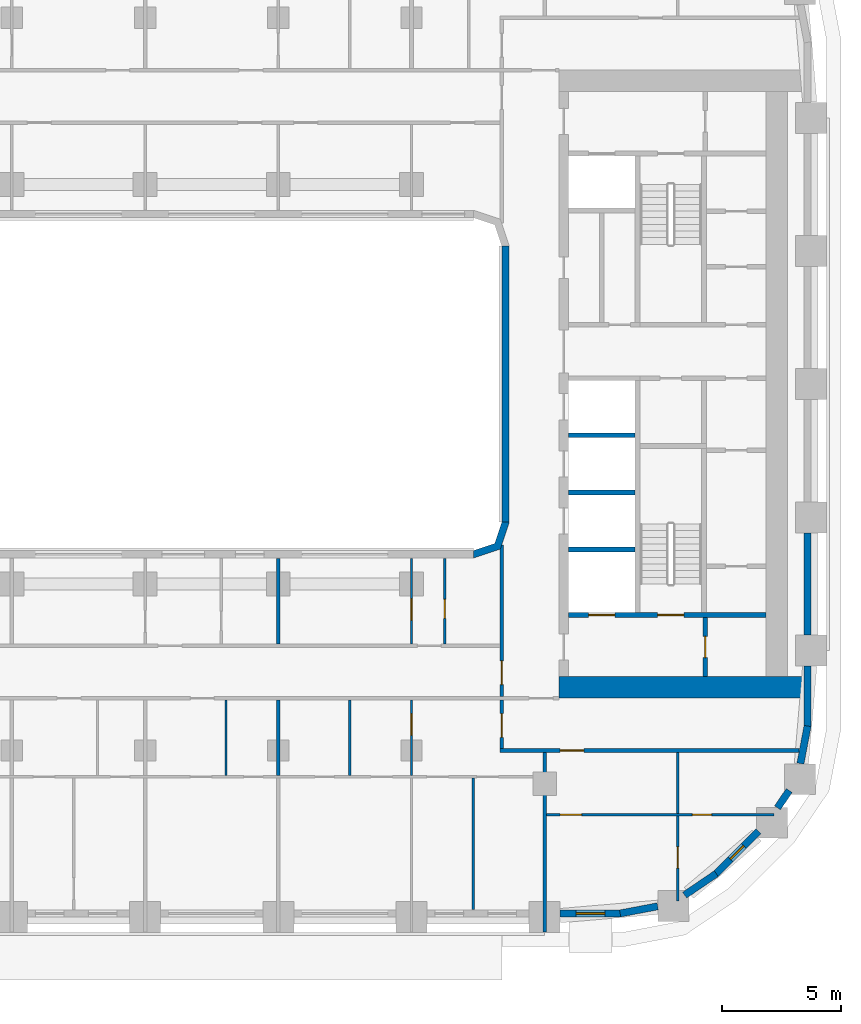
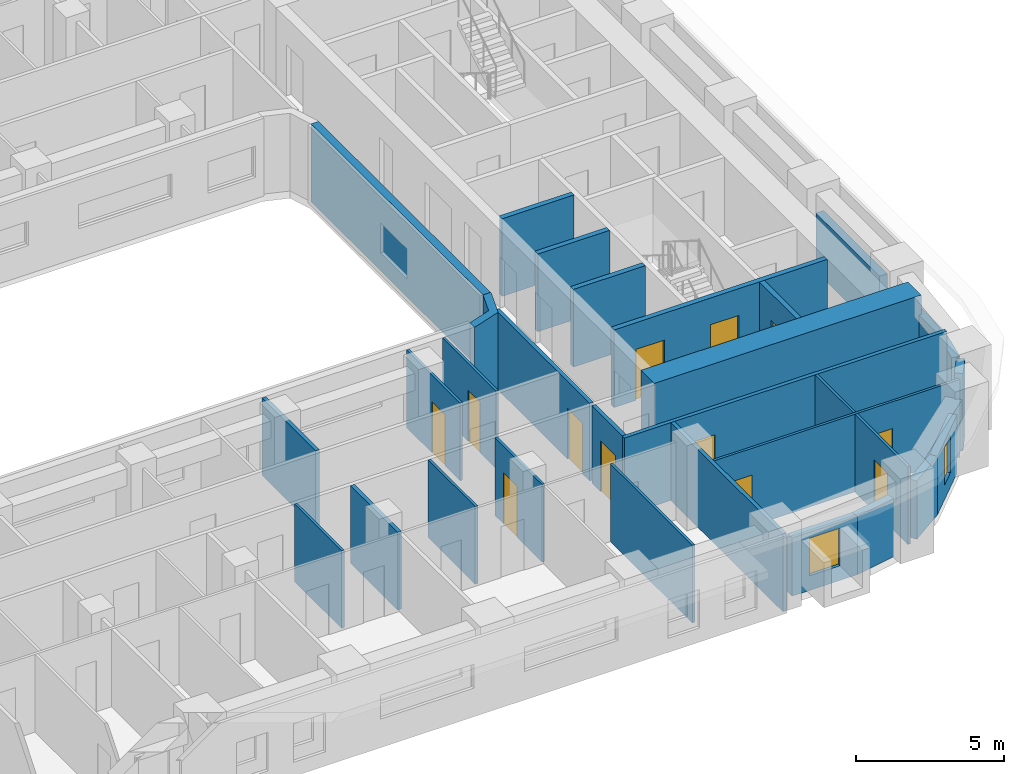
# One storey, part 6 of 23: 31 walls, 12 doors, 2 windows, 14 openings.
"""IFC4 building model written with IfcOpenShell, lengths in metres."""

from ifc_helpers import new_model, si_unit, direction, frame, frame_2d, origin, place, context, subcontext, project, spatial, polyline, rectangle, outline, extrude, material, layer, layer_set, type_object, element, fill, save


model = new_model("IFC4")

# Units and contexts
model_context = context("Model", 3, precision=1e-05, world=origin(), true_north=direction((0.0, 1.0)))
body_context = subcontext(model_context, "Body", "Model", "MODEL_VIEW")
ifc_project = project(units=[si_unit("LENGTHUNIT", "METRE"), si_unit("AREAUNIT", "SQUARE_METRE"), si_unit("VOLUMEUNIT", "CUBIC_METRE"), si_unit("PLANEANGLEUNIT", "RADIAN"), si_unit("MASSUNIT", "GRAM", prefix="KILO")], contexts=[model_context])

# Site, building, storey
site_placement = place(None, origin())
site = spatial("IfcSite", under=ifc_project, at=site_placement, CompositionType="ELEMENT")
building_placement = place(site_placement, origin())
building = spatial("IfcBuilding", under=site, at=building_placement, Name="Kiln Ring Residences", CompositionType="ELEMENT")
storey_placement = place(building_placement, frame((0.0, 0.0, 86.800048828125)))
storey = spatial("IfcBuildingStorey", under=building, at=storey_placement, Name="L21", CompositionType="ELEMENT", Elevation=86.800048828125)

# Wall, opening, door
ifc_material_1 = material(Name="Gypsum board on steel studs", Category="steel")
ifc_layer_1 = layer(ifc_material_1, 0.199951171875)
ifc_layer_set_1 = layer_set([ifc_layer_1], Name="CORE-PARTITION-200")
wall_type_1 = type_object("IfcWallType", Name="CORE-PARTITION-200", PredefinedType="PARTITIONING", material=ifc_layer_set_1)
wall_1_placement = place(storey_placement, frame((23.550048828125, -12.300048828125, 0.0), z_axis=(0.0, 0.0, 1.0), x_axis=(0.0, 1.0, 0.0)))
wall_1 = element("IfcWall", 1, at=wall_1_placement, inside=storey, type_object=wall_type_1, Name="Core partition east L21 5", PredefinedType="PARTITIONING", context=body_context, shape_type="SweptSolid", body=[
    extrude(rectangle(XDim=2.5, YDim=0.199951171875, at=frame_2d((1.25, 0.0))), origin(), (0.0, 0.0, 1.0), 3.199951171875),
])
opening_1_placement = place(wall_1_placement, frame((0.800048828125, 0.0, 0.0)))
opening_1 = element("IfcOpeningElement", 2, at=opening_1_placement, cuts=wall_1, Name="Opening L21-CE11", PredefinedType="OPENING", context=body_context, shape_type="SweptSolid", body=[
    extrude(rectangle(XDim=0.89990234375, YDim=2.10009765625, at=frame_2d((0.449951171875, 1.050048828125))), frame((0.0, 0.10986328125, 0.0), z_axis=(0.0, -1.0, 0.0), x_axis=(1.0, 0.0, 0.0)), (0.0, 0.0, 1.0), 0.219970703125),
])
ifc_material_2 = material(Name="Steel door leaf", Category="steel")
door_type_1 = type_object("IfcDoorType", Name="CORE-DOOR-ROOM", OperationType="SINGLE_SWING_LEFT", PredefinedType="DOOR", material=ifc_material_2)
door_1_placement = place(opening_1_placement, origin())
door_1 = element("IfcDoor", 3, at=door_1_placement, inside=storey, type_object=door_type_1, Name="Store L21-CE11", OperationType="SINGLE_SWING_RIGHT", OverallHeight=2.10009765625, OverallWidth=0.89990234375, PredefinedType="DOOR", context=body_context, shape_type="SweptSolid", body=[
    extrude(rectangle(XDim=0.89990234375, YDim=2.10009765625, at=frame_2d((0.449951171875, 1.050048828125))), frame((0.0, 0.02490234375, 0.0), z_axis=(0.0, -1.0, 0.0), x_axis=(1.0, 0.0, 0.0)), (0.0, 0.0, 1.0), 0.050048828125),
])
fill(opening_1, door_1)

# Walls
ifc_material_3 = material(Name="Gypsum shaft wall system")
ifc_layer_2 = layer(ifc_material_3, 0.199951171875)
ifc_layer_set_2 = layer_set([ifc_layer_2], Name="CORE-SHAFT-WALL-200")
wall_type_2 = type_object("IfcWallType", Name="CORE-SHAFT-WALL-200", PredefinedType="PARTITIONING", material=ifc_layer_set_2)
for number, where, z_axis, x_axis, name in (
    (4, (17.800048828125, -6.949951171875, 0.0), (0.0, 0.0, 1.0), (1.0, 0.0, 0.0), "Core partition east L21 10"),
    (5, (17.800048828125, -4.550048828125, 0.0), (0.0, 0.0, 1.0), (1.0, 0.0, 0.0), "Core partition east L21 11"),
    (6, (17.800048828125, -2.14990234375, 0.0), (0.0, 0.0, 1.0), (1.0, 0.0, 0.0), "Core partition east L21 12"),
):
    element("IfcWall", number, at=place(storey_placement, frame(where, z_axis=z_axis, x_axis=x_axis)), inside=storey, type_object=wall_type_2, Name=name, PredefinedType="PARTITIONING", context=body_context, shape_type="SweptSolid", body=[
        extrude(rectangle(XDim=2.800048828125, YDim=0.199951171875, at=frame_2d((1.39990234375, 0.0))), origin(), (0.0, 0.0, 1.0), 3.199951171875),
    ])

# Wall, openings, doors
ifc_material_4 = material(Name="Concrete C40/50", Category="concrete")
ifc_layer_3 = layer(ifc_material_4, 0.199951171875)
ifc_layer_set_3 = layer_set([ifc_layer_3], Name="CORE-WALL-RC200")
wall_type_3 = type_object("IfcWallType", Name="CORE-WALL-RC200", PredefinedType="SHEAR", material=ifc_layer_set_3)
wall_2_placement = place(storey_placement, frame((17.800048828125, -9.699951171875, 0.0), z_axis=(0.0, 0.0, 1.0), x_axis=(1.0, 0.0, 0.0)))
wall_2 = element("IfcWall", 7, at=wall_2_placement, inside=storey, type_object=wall_type_3, Name="Core wall east L21 8", PredefinedType="SHEAR", context=body_context, shape_type="SweptSolid", body=[
    extrude(rectangle(XDim=8.300048828125, YDim=0.199951171875, at=frame_2d((4.14990234375, 0.0))), origin(), (0.0, 0.0, 1.0), 3.199951171875),
])
opening_2_placement = place(wall_2_placement, frame((0.85009765625, 0.0, 0.0)))
opening_2 = element("IfcOpeningElement", 8, at=opening_2_placement, cuts=wall_2, Name="Opening L21-CE01", PredefinedType="OPENING", context=body_context, shape_type="SweptSolid", body=[
    extrude(rectangle(XDim=1.10009765625, YDim=2.10009765625, at=frame_2d((0.550048828125, 1.050048828125))), frame((0.0, 0.10986328125, 0.0), z_axis=(0.0, -1.0, 0.0), x_axis=(1.0, 0.0, 0.0)), (0.0, 0.0, 1.0), 0.219970703125),
])
opening_3_placement = place(wall_2_placement, frame((3.75, 0.0, 0.0)))
opening_3 = element("IfcOpeningElement", 9, at=opening_3_placement, cuts=wall_2, Name="Opening L21-CE13", PredefinedType="OPENING", context=body_context, shape_type="SweptSolid", body=[
    extrude(rectangle(XDim=1.10009765625, YDim=2.10009765625, at=frame_2d((0.550048828125, 1.050048828125))), frame((0.0, 0.10986328125, 0.0), z_axis=(0.0, -1.0, 0.0), x_axis=(1.0, 0.0, 0.0)), (0.0, 0.0, 1.0), 0.219970703125),
])
ifc_material_5 = material(Name="Steel door leaf", Category="steel")
door_type_2 = type_object("IfcDoorType", Name="CORE-DOOR-LD", OperationType="DOUBLE_DOOR_SLIDING", PredefinedType="DOOR", material=ifc_material_5)
door_2_placement = place(opening_2_placement, origin())
door_2 = element("IfcDoor", 10, at=door_2_placement, inside=storey, type_object=door_type_2, Name="LD E-SV L21-CE01", OperationType="DOUBLE_DOOR_SLIDING", OverallHeight=2.10009765625, OverallWidth=1.10009765625, PredefinedType="DOOR", context=body_context, shape_type="SweptSolid", body=[
    extrude(rectangle(XDim=1.10009765625, YDim=2.10009765625, at=frame_2d((0.550048828125, 1.050048828125))), frame((0.0, 0.02490234375, 0.0), z_axis=(0.0, -1.0, 0.0), x_axis=(1.0, 0.0, 0.0)), (0.0, 0.0, 1.0), 0.050048828125),
])
fill(opening_2, door_2)
ifc_material_6 = material(Name="Steel door leaf", Category="steel")
door_type_3 = type_object("IfcDoorType", Name="CORE-DOOR-STAIR", OperationType="SINGLE_SWING_LEFT", PredefinedType="DOOR", material=ifc_material_6)
door_3_placement = place(opening_3_placement, origin())
door_3 = element("IfcDoor", 11, at=door_3_placement, inside=storey, type_object=door_type_3, Name="Stair E-STS L21-CE13", OperationType="SINGLE_SWING_LEFT", OverallHeight=2.10009765625, OverallWidth=1.10009765625, PredefinedType="DOOR", context=body_context, shape_type="SweptSolid", body=[
    extrude(rectangle(XDim=1.10009765625, YDim=2.10009765625, at=frame_2d((0.550048828125, 1.050048828125))), frame((0.0, 0.02490234375, 0.0), z_axis=(0.0, -1.0, 0.0), x_axis=(1.0, 0.0, 0.0)), (0.0, 0.0, 1.0), 0.050048828125),
])
fill(opening_3, door_3)

# Wall
ifc_material_7 = material(Name="Concrete C60/75", Category="concrete")
ifc_layer_4 = layer(ifc_material_7, 0.89990234375)
ifc_layer_set_4 = layer_set([ifc_layer_4], Name="CORE-WALL-RC900")
wall_type_4 = type_object("IfcWallType", Name="CORE-WALL-RC900", PredefinedType="SHEAR", material=ifc_layer_set_4)
wall_3_placement = place(storey_placement, frame((17.39990234375, -12.75, 0.0), z_axis=(0.0, 0.0, 1.0), x_axis=(1.0, 0.0, 0.0)))
element("IfcWall", 12, at=wall_3_placement, inside=storey, type_object=wall_type_4, Name="Core wall east L21 5", PredefinedType="SHEAR", context=body_context, shape_type="SweptSolid", body=[
    extrude(rectangle(XDim=10.400146484375, YDim=0.89990234375, at=frame_2d((5.2001953125, 0.0))), origin(), (0.0, 0.0, 1.0), 3.199951171875),
])

# Wall, opening, window
ifc_material_8 = material(Name="Brick masonry, dark clay brick", Category="masonry")
ifc_layer_5 = layer(ifc_material_8, 0.300048828125)
ifc_layer_set_5 = layer_set([ifc_layer_5], Name="EW-300 BRICK WALL")
wall_type_5 = type_object("IfcWallType", Name="EW-300 BRICK WALL", PredefinedType="SOLIDWALL", material=ifc_layer_set_5)
wall_4_placement = place(storey_placement, frame((17.449951171875, -22.25, 0.0), z_axis=(0.0, 0.0, 1.0), x_axis=(1.0, 0.0, 0.0)))
wall_4 = element("IfcWall", 13, at=wall_4_placement, inside=storey, type_object=wall_type_5, Name="Facade wall L21 11", PredefinedType="SOLIDWALL", context=body_context, shape_type="SweptSolid", body=[
    extrude(rectangle(XDim=2.550048828125, YDim=0.300048828125, at=frame_2d((1.27490234375, 0.0))), origin(), (0.0, 0.0, 1.0), 2.39990234375),
])
opening_4_placement = place(wall_4_placement, frame((0.675048828125, 0.0, 0.60009765625)))
opening_4 = element("IfcOpeningElement", 14, at=opening_4_placement, cuts=wall_4, Name="Opening W1", PredefinedType="OPENING", context=body_context, shape_type="SweptSolid", body=[
    extrude(rectangle(XDim=1.199951171875, YDim=1.550048828125, at=frame_2d((0.60009765625, 0.77490234375))), frame((0.0, 0.159912109375, 0.0), z_axis=(0.0, -1.0, 0.0), x_axis=(1.0, 0.0, 0.0)), (0.0, 0.0, 1.0), 0.320068359375),
])
ifc_material_9 = material(Name="Aluminium frame with double glazing", Category="aluminium")
window_type_1 = type_object("IfcWindowType", Name="WINDOW 1200 x 1550", PartitioningType="SINGLE_PANEL", PredefinedType="WINDOW", material=ifc_material_9)
window_1_placement = place(opening_4_placement, origin())
window_1 = element("IfcWindow", 15, at=window_1_placement, inside=storey, type_object=window_type_1, Name="Window L21 13", OverallHeight=1.550048828125, OverallWidth=1.199951171875, PartitioningType="SINGLE_PANEL", PredefinedType="WINDOW", context=body_context, shape_type="SweptSolid", body=[
    extrude(rectangle(XDim=1.199951171875, YDim=1.550048828125, at=frame_2d((0.60009765625, 0.77490234375))), frame((0.0, 0.030029296875, 0.0), z_axis=(0.0, -1.0, 0.0), x_axis=(1.0, 0.0, 0.0)), (0.0, 0.0, 1.0), 0.06005859375),
])
fill(opening_4, window_1)

# Walls
for number, where, z_axis, x_axis, name in (
    (16, (19.971923828125, -22.252685546875, 0.0), (0.0, 0.0, 1.0), (0.982278644094, 0.187426426519, 0.0), "Facade wall L21 12"),
    (17, (22.684326171875, -21.481689453125, 0.0), (0.0, 0.0, 1.0), (0.82705935865, 0.562114594429, 0.0), "Facade wall L21 13"),
):
    element("IfcWall", number, at=place(storey_placement, frame(where, z_axis=z_axis, x_axis=x_axis)), inside=storey, type_object=wall_type_5, Name=name, PredefinedType="SOLIDWALL", context=body_context, shape_type="SweptSolid", body=[
        extrude(rectangle(XDim=1.606201171875, YDim=0.300048828125, at=frame_2d((0.80322265625, 0.0))), origin(), (0.0, 0.0, 1.0), 2.39990234375),
    ])

# Wall, opening, window
wall_5_placement = place(storey_placement, frame((23.990966796875, -20.596923828125, 0.0), z_axis=(0.0, 0.0, 1.0), x_axis=(0.707106781187, 0.707106781187, 0.0)))
wall_5 = element("IfcWall", 18, at=wall_5_placement, inside=storey, type_object=wall_type_5, Name="Facade wall L21 14", PredefinedType="SOLIDWALL", context=body_context, shape_type="SweptSolid", body=[
    extrude(rectangle(XDim=2.550048828125, YDim=0.300048828125, at=frame_2d((1.27490234375, 0.0))), origin(), (0.0, 0.0, 1.0), 2.39990234375),
])
opening_5_placement = place(wall_5_placement, frame((0.875, 0.0, 0.60009765625)))
opening_5 = element("IfcOpeningElement", 19, at=opening_5_placement, cuts=wall_5, Name="Opening W5", PredefinedType="OPENING", context=body_context, shape_type="SweptSolid", body=[
    extrude(rectangle(XDim=0.800048828125, YDim=1.550048828125, at=frame_2d((0.39990234375, 0.77490234375))), frame((0.0, 0.159912109375, 0.0), z_axis=(0.0, -1.0, 0.0), x_axis=(1.0, 0.0, 0.0)), (0.0, 0.0, 1.0), 0.320068359375),
])
ifc_material_10 = material(Name="Aluminium frame with double glazing", Category="aluminium")
window_type_2 = type_object("IfcWindowType", Name="WINDOW 800 x 1550", PartitioningType="SINGLE_PANEL", PredefinedType="WINDOW", material=ifc_material_10)
window_2_placement = place(opening_5_placement, origin())
window_2 = element("IfcWindow", 20, at=window_2_placement, inside=storey, type_object=window_type_2, Name="Window L21 14", OverallHeight=1.550048828125, OverallWidth=0.800048828125, PartitioningType="SINGLE_PANEL", PredefinedType="WINDOW", context=body_context, shape_type="SweptSolid", body=[
    extrude(rectangle(XDim=0.800048828125, YDim=1.550048828125, at=frame_2d((0.39990234375, 0.77490234375))), frame((0.0, 0.030029296875, 0.0), z_axis=(0.0, -1.0, 0.0), x_axis=(1.0, 0.0, 0.0)), (0.0, 0.0, 1.0), 0.06005859375),
])
fill(opening_5, window_2)

# Walls
wall_6_placement = place(storey_placement, frame((26.588623046875, -17.809814453125, 0.0), z_axis=(0.0, 0.0, 1.0), x_axis=(0.562066330934, 0.827092159091, 0.0)))
element("IfcWall", 21, at=wall_6_placement, inside=storey, type_object=wall_type_5, Name="Facade wall L21 15", PredefinedType="SOLIDWALL", context=body_context, shape_type="SweptSolid", body=[
    extrude(rectangle(XDim=0.876953125, YDim=0.300048828125, at=frame_2d((0.4384765625, 0.0))), origin(), (0.0, 0.0, 1.0), 3.199951171875),
])
wall_7_placement = place(storey_placement, frame((27.5517578125, -15.949462890625, 0.0), z_axis=(0.0, 0.0, 1.0), x_axis=(0.187279751651, 0.982306619453, 0.0)))
element("IfcWall", 22, at=wall_7_placement, inside=storey, type_object=wall_type_5, Name="Facade wall L21 16", PredefinedType="SOLIDWALL", context=body_context, shape_type="SweptSolid", body=[
    extrude(rectangle(XDim=1.60595703125, YDim=0.300048828125, at=frame_2d((0.802978515625, 0.0))), origin(), (0.0, 0.0, 1.0), 2.39990234375),
])
wall_8_placement = place(storey_placement, frame((27.85009765625, -14.39990234375, 0.0), z_axis=(0.0, 0.0, 1.0), x_axis=(0.0, 1.0, 0.0)))
element("IfcWall", 23, at=wall_8_placement, inside=storey, type_object=wall_type_5, Name="Facade wall L21 17", PredefinedType="SOLIDWALL", context=body_context, shape_type="SweptSolid", body=[
    extrude(rectangle(XDim=2.5498046875, YDim=0.300048828125, at=frame_2d((1.27490234375, 0.0))), origin(), (0.0, 0.0, 1.0), 2.39990234375),
])
wall_9_placement = place(storey_placement, frame((27.85009765625, -10.550048828125, 0.0), z_axis=(0.0, 0.0, 1.0), x_axis=(0.0, 1.0, 0.0)))
element("IfcWall", 24, at=wall_9_placement, inside=storey, type_object=wall_type_5, Name="Facade wall L21 18", PredefinedType="SOLIDWALL", context=body_context, shape_type="SweptSolid", body=[
    extrude(rectangle(XDim=4.300048828125, YDim=0.300048828125, at=frame_2d((2.14990234375, 0.0))), origin(), (0.0, 0.0, 1.0), 2.39990234375),
])
wall_10_placement = place(storey_placement, frame((15.14990234375, 5.800048828125, 0.0), z_axis=(0.0, 0.0, 1.0), x_axis=(0.0, -1.0, 0.0)))
element("IfcWall", 25, at=wall_10_placement, inside=storey, type_object=wall_type_5, Name="Facade wall L21 51", PredefinedType="SOLIDWALL", context=body_context, shape_type="SweptSolid", body=[
    extrude(rectangle(XDim=11.60009765625, YDim=0.300048828125, at=frame_2d((5.800048828125, 0.0))), origin(), (0.0, 0.0, 1.0), 3.199951171875),
])
wall_11_placement = place(storey_placement, origin())
element("IfcWall", 26, at=wall_11_placement, inside=storey, type_object=wall_type_5, Name="Corner wall L21 3", PredefinedType="SOLIDWALL", context=body_context, shape_type="SweptSolid", body=[
    extrude(outline(polyline([(14.937255859375, -6.937255859375), (15.300048828125, -5.8486328125), (15.300048828125, -5.800048828125), (15.0, -5.800048828125), (14.699951171875, -6.699951171875), (13.800048828125, -7.0), (13.800048828125, -7.300048828125), (13.8486328125, -7.300048828125), (14.937255859375, -6.937255859375)])), origin(), (0.0, 0.0, 1.0), 3.199951171875),
])

# Wall, openings, doors
ifc_material_11 = material(Name="Gypsum board on steel studs", Category="steel")
ifc_layer_6 = layer(ifc_material_11, 0.10009765625)
ifc_layer_set_6 = layer_set([ifc_layer_6], Name="PARTITION-100")
wall_type_6 = type_object("IfcWallType", Name="PARTITION-100", PredefinedType="PARTITIONING", material=ifc_layer_set_6)
wall_12_placement = place(storey_placement, frame((16.875, -18.10009765625, 0.0), z_axis=(0.0, 0.0, 1.0), x_axis=(1.0, 0.0, 0.0)))
wall_12 = element("IfcWall", 27, at=wall_12_placement, inside=storey, type_object=wall_type_6, Name="Partition 000", PredefinedType="PARTITIONING", context=body_context, shape_type="SweptSolid", body=[
    extrude(rectangle(XDim=9.56494140625, YDim=0.10009765625, at=frame_2d((4.782470703125, 0.0))), origin(), (0.0, 0.0, 1.0), 3.199951171875),
])
opening_6_placement = place(wall_12_placement, frame((6.138916015625, 0.0, 0.0)))
opening_6 = element("IfcOpeningElement", 28, at=opening_6_placement, cuts=wall_12, Name="Opening L21-D074", PredefinedType="OPENING", context=body_context, shape_type="SweptSolid", body=[
    extrude(rectangle(XDim=0.800048828125, YDim=2.10009765625, at=frame_2d((0.39990234375, 1.050048828125))), frame((0.0, 0.06005859375, 0.0), z_axis=(0.0, -1.0, 0.0), x_axis=(1.0, 0.0, 0.0)), (0.0, 0.0, 1.0), 0.1201171875),
])
opening_7_placement = place(wall_12_placement, frame((0.574951171875, 0.0, 0.0)))
opening_7 = element("IfcOpeningElement", 29, at=opening_7_placement, cuts=wall_12, Name="Opening L21-D075", PredefinedType="OPENING", context=body_context, shape_type="SweptSolid", body=[
    extrude(rectangle(XDim=0.89990234375, YDim=2.10009765625, at=frame_2d((0.449951171875, 1.050048828125))), frame((0.0, 0.06005859375, 0.0), z_axis=(0.0, -1.0, 0.0), x_axis=(1.0, 0.0, 0.0)), (0.0, 0.0, 1.0), 0.1201171875),
])
ifc_material_12 = material(Name="Timber door leaf", Category="wood")
door_type_4 = type_object("IfcDoorType", Name="FLAT-DOOR-800-PL", OperationType="SINGLE_SWING_LEFT", PredefinedType="DOOR", material=ifc_material_12)
door_4_placement = place(opening_6_placement, origin())
door_4 = element("IfcDoor", 30, at=door_4_placement, inside=storey, type_object=door_type_4, Name="Door L21-D074", OperationType="SINGLE_SWING_RIGHT", OverallHeight=2.10009765625, OverallWidth=0.800048828125, PredefinedType="DOOR", context=body_context, shape_type="SweptSolid", body=[
    extrude(rectangle(XDim=0.800048828125, YDim=2.10009765625, at=frame_2d((0.39990234375, 1.050048828125))), frame((0.0, 0.02490234375, 0.0), z_axis=(0.0, -1.0, 0.0), x_axis=(1.0, 0.0, 0.0)), (0.0, 0.0, 1.0), 0.050048828125),
])
fill(opening_6, door_4)
ifc_material_13 = material(Name="Timber door leaf", Category="wood")
door_type_5 = type_object("IfcDoorType", Name="FLAT-DOOR-900-PL", OperationType="SINGLE_SWING_LEFT", PredefinedType="DOOR", material=ifc_material_13)
door_5_placement = place(opening_7_placement, origin())
door_5 = element("IfcDoor", 31, at=door_5_placement, inside=storey, type_object=door_type_5, Name="Door L21-D075", OperationType="SINGLE_SWING_LEFT", OverallHeight=2.10009765625, OverallWidth=0.89990234375, PredefinedType="DOOR", context=body_context, shape_type="SweptSolid", body=[
    extrude(rectangle(XDim=0.89990234375, YDim=2.10009765625, at=frame_2d((0.449951171875, 1.050048828125))), frame((0.0, 0.02490234375, 0.0), z_axis=(0.0, -1.0, 0.0), x_axis=(1.0, 0.0, 0.0)), (0.0, 0.0, 1.0), 0.050048828125),
])
fill(opening_7, door_5)

# Walls
for number, where, z_axis, x_axis, name in (
    (32, (3.39990234375, -16.449951171875, 0.0), (0.0, 0.0, 1.0), (0.0, 1.0, 0.0), "Partition 055"),
    (33, (8.60009765625, -16.449951171875, 0.0), (0.0, 0.0, 1.0), (0.0, 1.0, 0.0), "Partition 062"),
):
    element("IfcWall", number, at=place(storey_placement, frame(where, z_axis=z_axis, x_axis=x_axis)), inside=storey, type_object=wall_type_6, Name=name, PredefinedType="PARTITIONING", context=body_context, shape_type="SweptSolid", body=[
        extrude(rectangle(XDim=3.175048828125, YDim=0.10009765625, at=frame_2d((1.58740234375, 0.0))), origin(), (0.0, 0.0, 1.0), 3.199951171875),
    ])

# Wall, opening, door
wall_13_placement = place(storey_placement, frame((11.199951171875, -16.449951171875, 0.0), z_axis=(0.0, 0.0, 1.0), x_axis=(0.0, 1.0, 0.0)))
wall_13 = element("IfcWall", 34, at=wall_13_placement, inside=storey, type_object=wall_type_6, Name="Partition 065", PredefinedType="PARTITIONING", context=body_context, shape_type="SweptSolid", body=[
    extrude(rectangle(XDim=3.175048828125, YDim=0.10009765625, at=frame_2d((1.58740234375, 0.0))), origin(), (0.0, 0.0, 1.0), 3.199951171875),
])
opening_8_placement = place(wall_13_placement, frame((1.698974609375, 0.0, 0.0)))
opening_8 = element("IfcOpeningElement", 35, at=opening_8_placement, cuts=wall_13, Name="Opening L21-D068", PredefinedType="OPENING", context=body_context, shape_type="SweptSolid", body=[
    extrude(rectangle(XDim=0.89990234375, YDim=2.10009765625, at=frame_2d((0.449951171875, 1.050048828125))), frame((0.0, 0.06005859375, 0.0), z_axis=(0.0, -1.0, 0.0), x_axis=(1.0, 0.0, 0.0)), (0.0, 0.0, 1.0), 0.1201171875),
])
door_6_placement = place(opening_8_placement, origin())
door_6 = element("IfcDoor", 36, at=door_6_placement, inside=storey, type_object=door_type_5, Name="Door L21-D068", OperationType="SINGLE_SWING_LEFT", OverallHeight=2.10009765625, OverallWidth=0.89990234375, PredefinedType="DOOR", context=body_context, shape_type="SweptSolid", body=[
    extrude(rectangle(XDim=0.89990234375, YDim=2.10009765625, at=frame_2d((0.449951171875, 1.050048828125))), frame((0.0, 0.02490234375, 0.0), z_axis=(0.0, -1.0, 0.0), x_axis=(1.0, 0.0, 0.0)), (0.0, 0.0, 1.0), 0.050048828125),
])
fill(opening_8, door_6)

wall_14_placement = place(storey_placement, frame((11.199951171875, -10.925048828125, 0.0), z_axis=(0.0, 0.0, 1.0), x_axis=(0.0, 1.0, 0.0)))
wall_14 = element("IfcWall", 37, at=wall_14_placement, inside=storey, type_object=wall_type_6, Name="Partition 066", PredefinedType="PARTITIONING", context=body_context, shape_type="SweptSolid", body=[
    extrude(rectangle(XDim=3.60498046875, YDim=0.10009765625, at=frame_2d((1.802490234375, 0.0))), origin(), (0.0, 0.0, 1.0), 3.199951171875),
])
opening_9_placement = place(wall_14_placement, frame((1.0048828125, 0.0, 0.0)))
opening_9 = element("IfcOpeningElement", 38, at=opening_9_placement, cuts=wall_14, Name="Opening L21-D051", PredefinedType="OPENING", context=body_context, shape_type="SweptSolid", body=[
    extrude(rectangle(XDim=0.89990234375, YDim=2.10009765625, at=frame_2d((0.449951171875, 1.050048828125))), frame((0.0, 0.06005859375, 0.0), z_axis=(0.0, -1.0, 0.0), x_axis=(1.0, 0.0, 0.0)), (0.0, 0.0, 1.0), 0.1201171875),
])
door_7_placement = place(opening_9_placement, origin())
door_7 = element("IfcDoor", 39, at=door_7_placement, inside=storey, type_object=door_type_5, Name="Door L21-D051", OperationType="SINGLE_SWING_RIGHT", OverallHeight=2.10009765625, OverallWidth=0.89990234375, PredefinedType="DOOR", context=body_context, shape_type="SweptSolid", body=[
    extrude(rectangle(XDim=0.89990234375, YDim=2.10009765625, at=frame_2d((0.449951171875, 1.050048828125))), frame((0.0, 0.02490234375, 0.0), z_axis=(0.0, -1.0, 0.0), x_axis=(1.0, 0.0, 0.0)), (0.0, 0.0, 1.0), 0.050048828125),
])
fill(opening_9, door_7)

wall_15_placement = place(storey_placement, frame((12.60009765625, -10.925048828125, 0.0), z_axis=(0.0, 0.0, 1.0), x_axis=(0.0, 1.0, 0.0)))
wall_15 = element("IfcWall", 40, at=wall_15_placement, inside=storey, type_object=wall_type_6, Name="Partition 070", PredefinedType="PARTITIONING", context=body_context, shape_type="SweptSolid", body=[
    extrude(rectangle(XDim=3.60498046875, YDim=0.10009765625, at=frame_2d((1.802490234375, 0.0))), origin(), (0.0, 0.0, 1.0), 3.199951171875),
])
opening_10_placement = place(wall_15_placement, frame((1.075927734375, 0.0, 0.0)))
opening_10 = element("IfcOpeningElement", 41, at=opening_10_placement, cuts=wall_15, Name="Opening L21-D050", PredefinedType="OPENING", context=body_context, shape_type="SweptSolid", body=[
    extrude(rectangle(XDim=0.800048828125, YDim=2.10009765625, at=frame_2d((0.39990234375, 1.050048828125))), frame((0.0, 0.06005859375, 0.0), z_axis=(0.0, -1.0, 0.0), x_axis=(1.0, 0.0, 0.0)), (0.0, 0.0, 1.0), 0.1201171875),
])
door_8_placement = place(opening_10_placement, origin())
door_8 = element("IfcDoor", 42, at=door_8_placement, inside=storey, type_object=door_type_4, Name="Door L21-D050", OperationType="SINGLE_SWING_LEFT", OverallHeight=2.10009765625, OverallWidth=0.800048828125, PredefinedType="DOOR", context=body_context, shape_type="SweptSolid", body=[
    extrude(rectangle(XDim=0.800048828125, YDim=2.10009765625, at=frame_2d((0.39990234375, 1.050048828125))), frame((0.0, 0.02490234375, 0.0), z_axis=(0.0, -1.0, 0.0), x_axis=(1.0, 0.0, 0.0)), (0.0, 0.0, 1.0), 0.050048828125),
])
fill(opening_10, door_8)

# Wall
wall_16_placement = place(storey_placement, frame((13.800048828125, -22.080078125, 0.0), z_axis=(0.0, 0.0, 1.0), x_axis=(0.0, 1.0, 0.0)))
element("IfcWall", 43, at=wall_16_placement, inside=storey, type_object=wall_type_6, Name="Partition 072", PredefinedType="PARTITIONING", context=body_context, shape_type="SweptSolid", body=[
    extrude(rectangle(XDim=5.530029296875, YDim=0.10009765625, at=frame_2d((2.76513671875, 0.0))), origin(), (0.0, 0.0, 1.0), 3.199951171875),
])

# Wall, opening, door
wall_17_placement = place(storey_placement, frame((22.39990234375, -21.719970703125, 0.0), z_axis=(0.0, 0.0, 1.0), x_axis=(0.0, 1.0, 0.0)))
wall_17 = element("IfcWall", 44, at=wall_17_placement, inside=storey, type_object=wall_type_6, Name="Partition 080", PredefinedType="PARTITIONING", context=body_context, shape_type="SweptSolid", body=[
    extrude(rectangle(XDim=3.570068359375, YDim=0.10009765625, at=frame_2d((1.78515625, 0.0))), origin(), (0.0, 0.0, 1.0), 3.199951171875),
])
opening_11_placement = place(wall_17_placement, frame((1.3720703125, 0.0, 0.0)))
opening_11 = element("IfcOpeningElement", 45, at=opening_11_placement, cuts=wall_17, Name="Opening L21-D076", PredefinedType="OPENING", context=body_context, shape_type="SweptSolid", body=[
    extrude(rectangle(XDim=0.89990234375, YDim=2.10009765625, at=frame_2d((0.449951171875, 1.050048828125))), frame((0.0, 0.06005859375, 0.0), z_axis=(0.0, -1.0, 0.0), x_axis=(1.0, 0.0, 0.0)), (0.0, 0.0, 1.0), 0.1201171875),
])
door_9_placement = place(opening_11_placement, origin())
door_9 = element("IfcDoor", 46, at=door_9_placement, inside=storey, type_object=door_type_5, Name="Door L21-D076", OperationType="SINGLE_SWING_RIGHT", OverallHeight=2.10009765625, OverallWidth=0.89990234375, PredefinedType="DOOR", context=body_context, shape_type="SweptSolid", body=[
    extrude(rectangle(XDim=0.89990234375, YDim=2.10009765625, at=frame_2d((0.449951171875, 1.050048828125))), frame((0.0, 0.02490234375, 0.0), z_axis=(0.0, -1.0, 0.0), x_axis=(1.0, 0.0, 0.0)), (0.0, 0.0, 1.0), 0.050048828125),
])
fill(opening_11, door_9)

# Wall
wall_18_placement = place(storey_placement, frame((22.39990234375, -18.050048828125, 0.0), z_axis=(0.0, 0.0, 1.0), x_axis=(0.0, 1.0, 0.0)))
element("IfcWall", 47, at=wall_18_placement, inside=storey, type_object=wall_type_6, Name="Partition 081", PredefinedType="PARTITIONING", context=body_context, shape_type="SweptSolid", body=[
    extrude(rectangle(XDim=2.574951171875, YDim=0.10009765625, at=frame_2d((1.28759765625, 0.0))), origin(), (0.0, 0.0, 1.0), 3.199951171875),
])

# Wall, opening, door
ifc_material_14 = material(Name="Brick masonry partition", Category="masonry")
ifc_layer_7 = layer(ifc_material_14, 0.14990234375)
ifc_layer_set_7 = layer_set([ifc_layer_7], Name="PARTITION-150-ei60")
wall_type_7 = type_object("IfcWallType", Name="PARTITION-150-ei60", PredefinedType="PARTITIONING", material=ifc_layer_set_7)
wall_19_placement = place(storey_placement, frame((14.925048828125, -15.39990234375, 0.0), z_axis=(0.0, 0.0, 1.0), x_axis=(1.0, 0.0, 0.0)))
wall_19 = element("IfcWall", 48, at=wall_19_placement, inside=storey, type_object=wall_type_7, Name="Partition 004", PredefinedType="PARTITIONING", context=body_context, shape_type="SweptSolid", body=[
    extrude(rectangle(XDim=12.558837890625, YDim=0.14990234375, at=frame_2d((6.279296875, 0.0))), origin(), (0.0, 0.0, 1.0), 3.199951171875),
])
opening_12_placement = place(wall_19_placement, frame((2.52490234375, 0.0, 0.0)))
opening_12 = element("IfcOpeningElement", 49, at=opening_12_placement, cuts=wall_19, Name="Opening L21-D073", PredefinedType="OPENING", context=body_context, shape_type="SweptSolid", body=[
    extrude(rectangle(XDim=1.0, YDim=2.10009765625, at=frame_2d((0.5, 1.050048828125))), frame((0.0, 0.0849609375, 0.0), z_axis=(0.0, -1.0, 0.0), x_axis=(1.0, 0.0, 0.0)), (0.0, 0.0, 1.0), 0.169921875),
])
ifc_material_15 = material(Name="Steel faced fire door leaf", Category="steel")
door_type_6 = type_object("IfcDoorType", Name="FLAT-DOOR-1000-FR", OperationType="SINGLE_SWING_LEFT", PredefinedType="DOOR", material=ifc_material_15)
door_10_placement = place(opening_12_placement, origin())
door_10 = element("IfcDoor", 50, at=door_10_placement, inside=storey, type_object=door_type_6, Name="Door L21-D073", OperationType="SINGLE_SWING_LEFT", OverallHeight=2.10009765625, OverallWidth=1.0, PredefinedType="DOOR", context=body_context, shape_type="SweptSolid", body=[
    extrude(rectangle(XDim=1.0, YDim=2.10009765625, at=frame_2d((0.5, 1.050048828125))), frame((0.0, 0.02490234375, 0.0), z_axis=(0.0, -1.0, 0.0), x_axis=(1.0, 0.0, 0.0)), (0.0, 0.0, 1.0), 0.050048828125),
])
fill(opening_12, door_10)

# Walls
wall_20_placement = place(storey_placement, frame((5.60009765625, -16.449951171875, 0.0), z_axis=(0.0, 0.0, 1.0), x_axis=(0.0, 1.0, 0.0)))
element("IfcWall", 51, at=wall_20_placement, inside=storey, type_object=wall_type_7, Name="Partition 060", PredefinedType="PARTITIONING", context=body_context, shape_type="SweptSolid", body=[
    extrude(rectangle(XDim=3.175048828125, YDim=0.14990234375, at=frame_2d((1.58740234375, 0.0))), origin(), (0.0, 0.0, 1.0), 3.199951171875),
])
wall_21_placement = place(storey_placement, frame((5.60009765625, -10.925048828125, 0.0), z_axis=(0.0, 0.0, 1.0), x_axis=(0.0, 1.0, 0.0)))
element("IfcWall", 52, at=wall_21_placement, inside=storey, type_object=wall_type_7, Name="Partition 061", PredefinedType="PARTITIONING", context=body_context, shape_type="SweptSolid", body=[
    extrude(rectangle(XDim=3.60498046875, YDim=0.14990234375, at=frame_2d((1.802490234375, 0.0))), origin(), (0.0, 0.0, 1.0), 3.199951171875),
])

# Wall, opening, door
wall_22_placement = place(storey_placement, frame((15.0, -15.324951171875, 0.0), z_axis=(0.0, 0.0, 1.0), x_axis=(0.0, 1.0, 0.0)))
wall_22 = element("IfcWall", 53, at=wall_22_placement, inside=storey, type_object=wall_type_7, Name="Partition 074", PredefinedType="PARTITIONING", context=body_context, shape_type="SweptSolid", body=[
    extrude(rectangle(XDim=2.050048828125, YDim=0.14990234375, at=frame_2d((1.02490234375, 0.0))), origin(), (0.0, 0.0, 1.0), 3.199951171875),
])
opening_13_placement = place(wall_22_placement, frame((0.47412109375, 0.0, 0.0)))
opening_13 = element("IfcOpeningElement", 54, at=opening_13_placement, cuts=wall_22, Name="Opening L21-D067", PredefinedType="OPENING", context=body_context, shape_type="SweptSolid", body=[
    extrude(rectangle(XDim=1.0, YDim=2.10009765625, at=frame_2d((0.5, 1.050048828125))), frame((0.0, 0.0849609375, 0.0), z_axis=(0.0, -1.0, 0.0), x_axis=(1.0, 0.0, 0.0)), (0.0, 0.0, 1.0), 0.169921875),
])
door_11_placement = place(opening_13_placement, origin())
door_11 = element("IfcDoor", 55, at=door_11_placement, inside=storey, type_object=door_type_6, Name="Door L21-D067", OperationType="SINGLE_SWING_LEFT", OverallHeight=2.10009765625, OverallWidth=1.0, PredefinedType="DOOR", context=body_context, shape_type="SweptSolid", body=[
    extrude(rectangle(XDim=1.0, YDim=2.10009765625, at=frame_2d((0.5, 1.050048828125))), frame((0.0, 0.02490234375, 0.0), z_axis=(0.0, -1.0, 0.0), x_axis=(1.0, 0.0, 0.0)), (0.0, 0.0, 1.0), 0.050048828125),
])
fill(opening_13, door_11)

wall_23_placement = place(storey_placement, frame((15.0, -13.125, 0.0), z_axis=(0.0, 0.0, 1.0), x_axis=(0.0, 1.0, 0.0)))
wall_23 = element("IfcWall", 56, at=wall_23_placement, inside=storey, type_object=wall_type_7, Name="Partition 075", PredefinedType="PARTITIONING", context=body_context, shape_type="SweptSolid", body=[
    extrude(rectangle(XDim=6.356201171875, YDim=0.14990234375, at=frame_2d((3.17822265625, 0.0))), origin(), (0.0, 0.0, 1.0), 3.199951171875),
])
opening_14_placement = place(wall_23_placement, frame((0.49609375, 0.0, 0.0)))
opening_14 = element("IfcOpeningElement", 57, at=opening_14_placement, cuts=wall_23, Name="Opening L21-D006", PredefinedType="OPENING", context=body_context, shape_type="SweptSolid", body=[
    extrude(rectangle(XDim=1.0, YDim=2.10009765625, at=frame_2d((0.5, 1.050048828125))), frame((0.0, 0.0849609375, 0.0), z_axis=(0.0, -1.0, 0.0), x_axis=(1.0, 0.0, 0.0)), (0.0, 0.0, 1.0), 0.169921875),
])
door_12_placement = place(opening_14_placement, origin())
door_12 = element("IfcDoor", 58, at=door_12_placement, inside=storey, type_object=door_type_6, Name="Door L21-D006", OperationType="SINGLE_SWING_LEFT", OverallHeight=2.10009765625, OverallWidth=1.0, PredefinedType="DOOR", context=body_context, shape_type="SweptSolid", body=[
    extrude(rectangle(XDim=1.0, YDim=2.10009765625, at=frame_2d((0.5, 1.050048828125))), frame((0.0, 0.02490234375, 0.0), z_axis=(0.0, -1.0, 0.0), x_axis=(1.0, 0.0, 0.0)), (0.0, 0.0, 1.0), 0.050048828125),
])
fill(opening_14, door_12)

# Wall
wall_24_placement = place(storey_placement, frame((16.800048828125, -23.030029296875, 0.0), z_axis=(0.0, 0.0, 1.0), x_axis=(0.0, 1.0, 0.0)))
element("IfcWall", 59, at=wall_24_placement, inside=storey, type_object=wall_type_7, Name="Partition 078", PredefinedType="PARTITIONING", context=body_context, shape_type="SweptSolid", body=[
    extrude(rectangle(XDim=7.554931640625, YDim=0.14990234375, at=frame_2d((3.77734375, 0.0))), origin(), (0.0, 0.0, 1.0), 3.199951171875),
])

save(model, "model.ifc")
